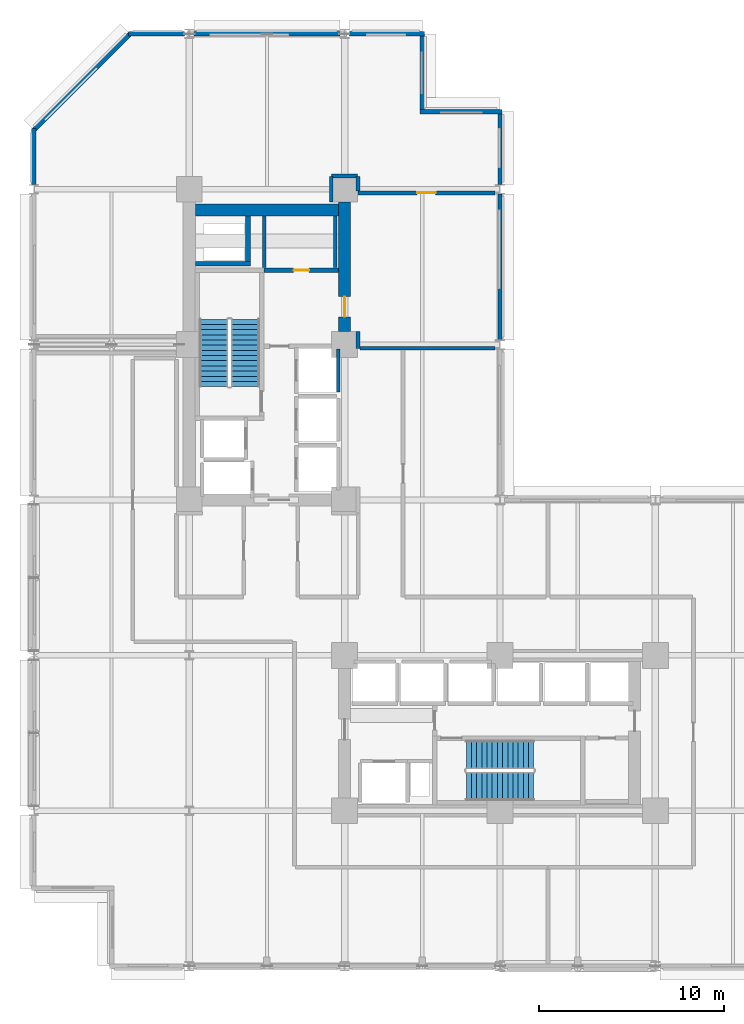
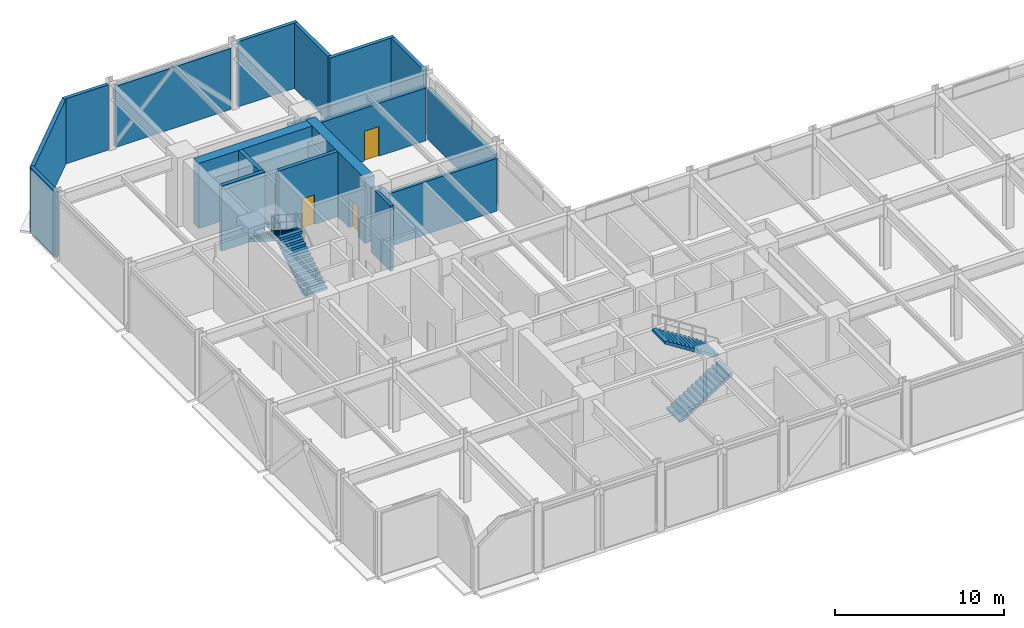
# One storey, part 9 of 13: 23 walls, 4 stair flights, 3 doors, 3 openings, 2 elements without a shape of their own.
"""IFC4 building model written with IfcOpenShell, lengths in metres."""

import ifcopenshell
import ifcopenshell.guid

model = None  # the IFC model being written
_history = None  # IfcOwnerHistory: only IFC2X3 demands one
_inside = {}  # id of a spatial element -> (the spatial element, [elements in it])
_under = {}  # id of a project, library or spatial element -> (it, [spatial elements below it])
_declared = {}  # id of a project -> (the project, [libraries it declares])
_typed = {}  # id of a type object -> (the type object, [elements of that type])
_made_of = {}  # id of a material, layer set ... -> (it, [elements and type objects made of it])


def new_model(schema):
    """Start an empty IFC model of exactly this schema.

    Asked for "IFC4X3", IfcOpenShell would pick the latest addendum, in which some entities
    have other attributes; the version numbers below select the first issue.
    IFC2X3 requires an IfcOwnerHistory on every rooted entity: one is made here for all.
    """
    global model, _history
    if schema == "IFC4X3":
        model = ifcopenshell.file(schema_version=(4, 3, 0, 0))
    else:
        model = ifcopenshell.file(schema=schema)
    _inside.clear()
    _under.clear()
    _declared.clear()
    _typed.clear()
    _made_of.clear()
    _history = None
    if model.schema == "IFC2X3":
        org = make("IfcOrganization", Name="unknown")
        user = make(
            "IfcPersonAndOrganization",
            ThePerson=make("IfcPerson", FamilyName="unknown"),
            TheOrganization=org,
        )
        app = make(
            "IfcApplication",
            ApplicationDeveloper=org,
            Version="unknown",
            ApplicationFullName="unknown",
            ApplicationIdentifier="unknown",
        )
        _history = make(
            "IfcOwnerHistory",
            OwningUser=user,
            OwningApplication=app,
            ChangeAction="ADDED",
            CreationDate=0,
        )
    return model


def make(cls, **values):
    """One entity of the class cls with the attributes given. An attribute that is None is left unset."""
    return model.create_entity(
        cls, **{name: value for name, value in values.items() if value is not None}
    )


def rooted(cls, **values):
    """An entity with a GlobalId (a new one), such as an element, a storey or a relation."""
    return make(cls, GlobalId=ifcopenshell.guid.new(), OwnerHistory=_history, **values)


def si_unit(unit_type, name, prefix=None):
    """IfcSIUnit, for example si_unit("LENGTHUNIT", "METRE", prefix="MILLI")."""
    return make("IfcSIUnit", UnitType=unit_type, Prefix=prefix, Name=name)


def assignment(units):
    """IfcUnitAssignment: the units of a project."""
    return None if units is None else make("IfcUnitAssignment", Units=units)


def point(xyz):
    """IfcCartesianPoint."""
    return None if xyz is None else make("IfcCartesianPoint", Coordinates=xyz)


def direction(xyz):
    """IfcDirection."""
    return None if xyz is None else make("IfcDirection", DirectionRatios=xyz)


def frame(location, z_axis=None, x_axis=None):
    """IfcAxis2Placement3D, a coordinate frame: its origin and axes. An axis left out is left unset."""
    return make(
        "IfcAxis2Placement3D",
        Location=point(location),
        Axis=direction(z_axis),
        RefDirection=direction(x_axis),
    )


def frame_2d(location, x_axis=None):
    """IfcAxis2Placement2D, a coordinate frame in the plane: its origin and x axis."""
    return make(
        "IfcAxis2Placement2D", Location=point(location), RefDirection=direction(x_axis)
    )


def origin():
    """The frame at (0, 0, 0) with its axes left unset."""
    return frame((0.0, 0.0, 0.0))


def place(relative_to, where):
    """IfcLocalPlacement: puts the frame where relative to a parent placement (None: the world)."""
    return make(
        "IfcLocalPlacement", PlacementRelTo=relative_to, RelativePlacement=where
    )


def context(
    kind, dimensions, precision=None, world=None, true_north=None, identifier=None
):
    """IfcGeometricRepresentationContext, for example the 3D "Model" context."""
    return make(
        "IfcGeometricRepresentationContext",
        ContextIdentifier=identifier,
        ContextType=kind,
        CoordinateSpaceDimension=dimensions,
        Precision=precision,
        WorldCoordinateSystem=world,
        TrueNorth=true_north,
    )


def subcontext(parent, identifier, kind, view, scale=None):
    """IfcGeometricRepresentationSubContext, for example "Body" below "Model"."""
    return make(
        "IfcGeometricRepresentationSubContext",
        ContextIdentifier=identifier,
        ContextType=kind,
        ParentContext=parent,
        TargetScale=scale,
        TargetView=view,
    )


def project(units=None, contexts=None):
    """IfcProject with its units and contexts."""
    return rooted(
        "IfcProject",
        Name="project",
        RepresentationContexts=contexts,
        UnitsInContext=assignment(units),
    )


def spatial(cls, under=None, at=None, **own):
    """A site, building, storey or space (cls), placed at a placement, below another one or the project."""
    s = rooted(cls, ObjectPlacement=at, **own)
    if under is not None:
        _under.setdefault(under.id(), (under, []))[1].append(s)
    return s


def polyline(points):
    """IfcPolyline through the points."""
    return make("IfcPolyline", Points=[point(p) for p in points])


def profile(cls, at=None, kind="AREA", **sizes):
    """A parametric profile (cls). Its sizes go by their IFC names, for example OverallWidth=200.0."""
    return make(cls, ProfileType=kind, Position=at, **sizes)


def rectangle(**sizes):
    """IfcRectangleProfileDef."""
    return profile("IfcRectangleProfileDef", **sizes)


def outline(outer, holes=None, kind="AREA"):
    """IfcArbitraryClosedProfileDef: a profile drawn as a closed curve; with holes, ...WithVoids."""
    if holes is None:
        return make("IfcArbitraryClosedProfileDef", ProfileType=kind, OuterCurve=outer)
    return make(
        "IfcArbitraryProfileDefWithVoids",
        ProfileType=kind,
        OuterCurve=outer,
        InnerCurves=holes,
    )


def extrude(swept, where, along, depth):
    """IfcExtrudedAreaSolid: the profile swept, set in the frame where, extruded along a direction by depth."""
    return make(
        "IfcExtrudedAreaSolid",
        SweptArea=swept,
        Position=where,
        ExtrudedDirection=direction(along),
        Depth=depth,
    )


def shape(context_of_items, identifier, shape_type, items):
    """IfcShapeRepresentation: the items that make up one representation, for example the "Body"."""
    return make(
        "IfcShapeRepresentation",
        ContextOfItems=context_of_items,
        RepresentationIdentifier=identifier,
        RepresentationType=shape_type,
        Items=items,
    )


def material(Name=None, Category=None):
    """IfcMaterial."""
    return make("IfcMaterial", Name=Name, Category=Category)


def layer(
    of_material, thickness, ventilated=None, Name=None, Category=None, Priority=None
):
    """IfcMaterialLayer: one layer of a wall or slab, of a material (None: an air gap)."""
    return make(
        "IfcMaterialLayer",
        Material=of_material,
        LayerThickness=thickness,
        IsVentilated=ventilated,
        Name=Name,
        Category=Category,
        Priority=Priority,
    )


def layer_set(layers, Name=None):
    """IfcMaterialLayerSet."""
    return make("IfcMaterialLayerSet", MaterialLayers=layers, LayerSetName=Name)


def made_of(thing, what):
    """Note that an element or type object is made of a material, layer set ...; save() writes the relation."""
    if what is not None:
        _made_of.setdefault(what.id(), (what, []))[1].append(thing)
    return thing


def type_object(cls, material=None, **own):
    """A type object (cls), such as IfcWallType, which elements share."""
    return made_of(rooted(cls, **own), material)


def element(
    cls,
    number,
    at=None,
    inside=None,
    cuts=None,
    type_object=None,
    material=None,
    context=None,
    identifier="Body",
    shape_type=None,
    held_by="IfcProductDefinitionShape",
    body=None,
    shapes=None,
    **own,
):
    """One element of the class cls, such as IfcWall. Its Tag is "e" and its number.

    at: its placement. inside: the storey or other place that contains it. cuts: it is an
    opening in that element (IfcRelVoidsElement). A single representation is given by context,
    identifier, shape_type and body (its items); several are given by shapes. held_by: the class
    of the entity that holds the representations. save() writes the other relations.
    """
    e = rooted(cls, Tag="e%d" % number, ObjectPlacement=at, **own)
    if body is not None:
        shapes = [shape(context, identifier, shape_type, body)]
    if shapes is not None:
        e.Representation = make(held_by, Representations=shapes)
    if inside is not None:
        _inside.setdefault(inside.id(), (inside, []))[1].append(e)
    if cuts is not None:
        rooted(
            "IfcRelVoidsElement", RelatingBuildingElement=cuts, RelatedOpeningElement=e
        )
    if type_object is not None:
        _typed.setdefault(type_object.id(), (type_object, []))[1].append(e)
    return made_of(e, material)


def fill(opening, filler):
    """IfcRelFillsElement: the door or window that sits in an opening."""
    return rooted(
        "IfcRelFillsElement",
        RelatingOpeningElement=opening,
        RelatedBuildingElement=filler,
    )


def aggregate(whole, parts):
    """IfcRelAggregates: a whole, such as a stair, and the parts it consists of."""
    return rooted("IfcRelAggregates", RelatingObject=whole, RelatedObjects=parts)


def save(model, path):
    """Write the relations noted so far, then the file.

    IfcRelAggregates (storeys below a building ...), IfcRelContainedInSpatialStructure (elements
    in a storey), IfcRelDefinesByType, IfcRelAssociatesMaterial and IfcRelDeclares: one each for
    every whole, place, type object, material and project.
    """
    for whole, parts in _under.values():
        aggregate(whole, parts)
    for where, things in _inside.values():
        rooted(
            "IfcRelContainedInSpatialStructure",
            RelatedElements=things,
            RelatingStructure=where,
        )
    for kind, things in _typed.values():
        rooted("IfcRelDefinesByType", RelatedObjects=things, RelatingType=kind)
    for what, things in _made_of.values():
        rooted("IfcRelAssociatesMaterial", RelatedObjects=things, RelatingMaterial=what)
    for by, libraries in _declared.values():
        rooted("IfcRelDeclares", RelatingContext=by, RelatedDefinitions=libraries)
    model.write(path)


model = new_model("IFC4")

# Units and contexts
model_context = context("Model", 3, precision=1e-05, world=origin(), true_north=direction((0.0, 1.0)))
body_context = subcontext(model_context, "Body", "Model", "MODEL_VIEW")
ifc_project = project(units=[si_unit("LENGTHUNIT", "METRE"), si_unit("AREAUNIT", "SQUARE_METRE"), si_unit("VOLUMEUNIT", "CUBIC_METRE"), si_unit("PLANEANGLEUNIT", "RADIAN"), si_unit("MASSUNIT", "GRAM", prefix="KILO")], contexts=[model_context])

# Site, building, storey
site_placement = place(None, origin())
site = spatial("IfcSite", under=ifc_project, at=site_placement, CompositionType="ELEMENT")
building_placement = place(site_placement, origin())
building = spatial("IfcBuilding", under=site, at=building_placement, Name="Nerrivon Quay Data Exchange", CompositionType="ELEMENT")
storey_placement = place(building_placement, frame((0.0, 0.0, 79.39990234375)))
storey = spatial("IfcBuildingStorey", under=building, at=storey_placement, Name="L18", CompositionType="ELEMENT", Elevation=79.39990234375)

# Walls
ifc_material_1 = material(Name="Architectural terracotta precast concrete N50 (50 MPa)", Category="masonry")
ifc_layer_1 = layer(ifc_material_1, 0.239990234375)
ifc_layer_set_1 = layer_set([ifc_layer_1], Name="Architectural terracotta precast concrete N50 (50 MPa)")
wall_type_1 = type_object("IfcWallType", Name="EW-PREC-240", PredefinedType="STANDARD", material=ifc_layer_set_1)
wall_1_placement = place(storey_placement, frame((0.0, 42.25, 0.0), z_axis=(0.0, 0.0, 1.0), x_axis=(0.0, 1.0, 0.0)))
element("IfcWall", 1, at=wall_1_placement, inside=storey, type_object=wall_type_1, Name="L18 Plant Enclosure Wall 22", PredefinedType="STANDARD", context=body_context, shape_type="SweptSolid", body=[
    extrude(rectangle(XDim=3.024658203125, YDim=0.239990234375, at=frame_2d((1.51220703125, 0.0))), origin(), (0.0, 0.0, 1.0), 4.72509765625),
])
wall_2_placement = place(storey_placement, frame((-0.052734375, 45.147216796875, 0.0), z_axis=(0.0, 0.0, 1.0), x_axis=(0.707090511833, 0.707123050166, 0.0)))
element("IfcWall", 2, at=wall_2_placement, inside=storey, type_object=wall_type_1, Name="L18 Plant Enclosure Wall 23", PredefinedType="STANDARD", context=body_context, shape_type="SweptSolid", body=[
    extrude(rectangle(XDim=7.503173828125, YDim=0.239990234375, at=frame_2d((3.75146484375, 0.0))), origin(), (0.0, 0.0, 1.0), 4.72509765625),
])
wall_3_placement = place(storey_placement, frame((5.125244140625, 50.39990234375, 0.0), z_axis=(0.0, 0.0, 1.0), x_axis=(1.0, 0.0, 0.0)))
element("IfcWall", 3, at=wall_3_placement, inside=storey, type_object=wall_type_1, Name="L18 Plant Enclosure Wall 24", PredefinedType="STANDARD", context=body_context, shape_type="SweptSolid", body=[
    extrude(rectangle(XDim=3.024658203125, YDim=0.239990234375, at=frame_2d((1.51220703125, 0.0))), origin(), (0.0, 0.0, 1.0), 4.72509765625),
])
wall_4_placement = place(storey_placement, frame((8.64990234375, 50.39990234375, 0.0), z_axis=(0.0, 0.0, 1.0), x_axis=(1.0, 0.0, 0.0)))
element("IfcWall", 4, at=wall_4_placement, inside=storey, type_object=wall_type_1, Name="L18 Plant Enclosure Wall 25", PredefinedType="STANDARD", context=body_context, shape_type="SweptSolid", body=[
    extrude(rectangle(XDim=7.900146484375, YDim=0.239990234375, at=frame_2d((3.9501953125, 0.0))), origin(), (0.0, 0.0, 1.0), 4.425048828125),
])
wall_5_placement = place(storey_placement, frame((17.050048828125, 50.39990234375, 0.0), z_axis=(0.0, 0.0, 1.0), x_axis=(1.0, 0.0, 0.0)))
element("IfcWall", 5, at=wall_5_placement, inside=storey, type_object=wall_type_1, Name="L18 Plant Enclosure Wall 26", PredefinedType="STANDARD", context=body_context, shape_type="SweptSolid", body=[
    extrude(rectangle(XDim=4.070068359375, YDim=0.239990234375, at=frame_2d((2.03515625, 0.0))), origin(), (0.0, 0.0, 1.0), 4.72509765625),
])
wall_6_placement = place(storey_placement, frame((21.0, 50.280029296875, 0.0), z_axis=(0.0, 0.0, 1.0), x_axis=(0.0, -1.0, 0.0)))
element("IfcWall", 6, at=wall_6_placement, inside=storey, type_object=wall_type_1, Name="L18 Plant Enclosure Wall 27", PredefinedType="STANDARD", context=body_context, shape_type="SweptSolid", body=[
    extrude(rectangle(XDim=3.9599609375, YDim=0.239990234375, at=frame_2d((1.97998046875, 0.0))), origin(), (0.0, 0.0, 1.0), 4.72509765625),
])
wall_7_placement = place(storey_placement, frame((20.8798828125, 46.199951171875, 0.0), z_axis=(0.0, 0.0, 1.0), x_axis=(1.0, 0.0, 0.0)))
element("IfcWall", 7, at=wall_7_placement, inside=storey, type_object=wall_type_1, Name="L18 Plant Enclosure Wall 28", PredefinedType="STANDARD", context=body_context, shape_type="SweptSolid", body=[
    extrude(rectangle(XDim=4.440185546875, YDim=0.239990234375, at=frame_2d((2.22021484375, 0.0))), origin(), (0.0, 0.0, 1.0), 4.72509765625),
])
wall_8_placement = place(storey_placement, frame((25.199951171875, 46.080078125, 0.0), z_axis=(0.0, 0.0, 1.0), x_axis=(0.0, -1.0, 0.0)))
element("IfcWall", 8, at=wall_8_placement, inside=storey, type_object=wall_type_1, Name="L18 Plant Enclosure Wall 29", PredefinedType="STANDARD", context=body_context, shape_type="SweptSolid", body=[
    extrude(rectangle(XDim=3.830078125, YDim=0.239990234375, at=frame_2d((1.9150390625, 0.0))), origin(), (0.0, 0.0, 1.0), 4.72509765625),
])
wall_9_placement = place(storey_placement, frame((25.199951171875, 41.75, 0.0), z_axis=(0.0, 0.0, 1.0), x_axis=(0.0, -1.0, 0.0)))
element("IfcWall", 9, at=wall_9_placement, inside=storey, type_object=wall_type_1, Name="L18 Plant Enclosure Wall 30", PredefinedType="STANDARD", context=body_context, shape_type="SweptSolid", body=[
    extrude(rectangle(XDim=7.89990234375, YDim=0.239990234375, at=frame_2d((3.949951171875, 0.0))), origin(), (0.0, 0.0, 1.0), 3.708984375),
])
ifc_material_2 = material(Name="Concrete N80 (80 MPa)", Category="concrete")
ifc_layer_2 = layer(ifc_material_2, 0.64990234375)
ifc_layer_set_2 = layer_set([ifc_layer_2], Name="Concrete N80 (80 MPa)")
wall_type_2 = type_object("IfcWallType", Name="WALL-CW-850", PredefinedType="SHEAR", material=ifc_layer_set_2)
wall_10_placement = place(storey_placement, frame((8.72509765625, 40.875, 0.0), z_axis=(0.0, 0.0, 1.0), x_axis=(1.0, 0.0, 0.0)))
element("IfcWall", 10, at=wall_10_placement, inside=storey, type_object=wall_type_2, Name="L18 West Split-Core Shear Wall WCW-N1", PredefinedType="SHEAR", context=body_context, shape_type="SweptSolid", body=[
    extrude(rectangle(XDim=7.75, YDim=0.64990234375, at=frame_2d((3.875, 0.0))), origin(), (0.0, 0.0, 1.0), 4.72509765625),
])

# Wall, opening, door
wall_11_placement = place(storey_placement, frame((16.800048828125, 34.300048828125, 0.0), z_axis=(0.0, 0.0, 1.0), x_axis=(0.0, 1.0, 0.0)))
wall_11 = element("IfcWall", 11, at=wall_11_placement, inside=storey, type_object=wall_type_2, Name="L18 West Split-Core Shear Wall WCW-E1", PredefinedType="SHEAR", context=body_context, shape_type="SweptSolid", body=[
    extrude(rectangle(XDim=7.0, YDim=0.64990234375, at=frame_2d((3.5, 0.0))), origin(), (0.0, 0.0, 1.0), 4.72509765625),
])
opening_1_placement = place(wall_11_placement, frame((0.800048828125, 0.0, 0.0)))
opening_1 = element("IfcOpeningElement", 12, at=opening_1_placement, cuts=wall_11, Name="Opening FD-120", PredefinedType="OPENING", context=body_context, shape_type="SweptSolid", body=[
    extrude(rectangle(XDim=1.10009765625, YDim=2.14990234375, at=frame_2d((0.550048828125, 1.074951171875))), frame((0.0, 0.3349609375, 0.0), z_axis=(0.0, -1.0, 0.0), x_axis=(1.0, 0.0, 0.0)), (0.0, 0.0, 1.0), 0.669921875),
])
ifc_material_3 = material(Name="Powder-coated galvanized steel sheet", Category="steel")
door_type_1 = type_object("IfcDoorType", Name="DR-FD120-1100", OperationType="NOTDEFINED", PredefinedType="DOOR", material=ifc_material_3)
door_1_placement = place(opening_1_placement, origin())
door_1 = element("IfcDoor", 13, at=door_1_placement, inside=storey, type_object=door_type_1, Name="L18 West Core Lobby Fire Door", OperationType="SINGLE_SWING_RIGHT", OverallHeight=2.14990234375, OverallWidth=1.10009765625, PredefinedType="DOOR", context=body_context, shape_type="SweptSolid", body=[
    extrude(rectangle(XDim=1.10009765625, YDim=2.14990234375, at=frame_2d((0.550048828125, 1.074951171875))), frame((0.0, 0.02490234375, 0.0), z_axis=(0.0, -1.0, 0.0), x_axis=(1.0, 0.0, 0.0)), (0.0, 0.0, 1.0), 0.050048828125),
])
fill(opening_1, door_1)

# Walls
ifc_material_4 = material(Name="Gypsum plasterboard on cold-formed framing", Category="gypsum")
ifc_layer_3 = layer(ifc_material_4, 0.199951171875)
ifc_layer_set_3 = layer_set([ifc_layer_3], Name="Gypsum plasterboard on cold-formed framing")
wall_type_3 = type_object("IfcWallType", Name="WALL-FW-200", PredefinedType="PARTITIONING", material=ifc_layer_set_3)
wall_12_placement = place(storey_placement, frame((16.449951171875, 31.050048828125, 0.0), z_axis=(0.0, 0.0, 1.0), x_axis=(0.0, 1.0, 0.0)))
element("IfcWall", 14, at=wall_12_placement, inside=storey, type_object=wall_type_3, Name="L18 Lift Shaft Wall PL3 EAST", PredefinedType="PARTITIONING", context=body_context, shape_type="SweptSolid", body=[
    extrude(rectangle(XDim=2.300048828125, YDim=0.199951171875, at=frame_2d((1.14990234375, 0.0))), origin(), (0.0, 0.0, 1.0), 4.72509765625),
])
for number, where, z_axis, x_axis, name in (
    (15, (16.300048828125, 37.780029296875, 0.0), (0.0, 0.0, 1.0), (0.0, 1.0, 0.0), "L18 Partition Electrical Switchboard Closet"),
    (16, (12.449951171875, 40.5458984375, 0.0), (0.0, 0.0, 1.0), (0.0, -1.0, 0.0), "L18 Partition Electrical Switchboard Closet"),
):
    element("IfcWall", number, at=place(storey_placement, frame(where, z_axis=z_axis, x_axis=x_axis)), inside=storey, type_object=wall_type_3, Name=name, PredefinedType="PARTITIONING", context=body_context, shape_type="SweptSolid", body=[
        extrude(rectangle(XDim=2.765869140625, YDim=0.199951171875, at=frame_2d((1.3828125, 0.0))), origin(), (0.0, 0.0, 1.0), 3.625),
    ])
wall_13_placement = place(storey_placement, frame((17.52001953125, 34.300048828125, 0.0), z_axis=(0.0, 0.0, 1.0), x_axis=(0.0, -1.0, 0.0)))
element("IfcWall", 17, at=wall_13_placement, inside=storey, type_object=wall_type_3, Name="L18 Partition Protected Area of Refuge", PredefinedType="PARTITIONING", context=body_context, shape_type="SweptSolid", body=[
    extrude(rectangle(XDim=0.900146484375, YDim=0.199951171875, at=frame_2d((0.4501953125, 0.0))), origin(), (0.0, 0.0, 1.0), 3.8251953125),
])
wall_14_placement = place(storey_placement, frame((17.6240234375, 33.39990234375, 0.0), z_axis=(0.0, 0.0, 1.0), x_axis=(1.0, 0.0, 0.0)))
element("IfcWall", 18, at=wall_14_placement, inside=storey, type_object=wall_type_3, Name="L18 Partition Protected Area of Refuge", PredefinedType="PARTITIONING", context=body_context, shape_type="SweptSolid", body=[
    extrude(rectangle(XDim=7.305908203125, YDim=0.199951171875, at=frame_2d((3.65283203125, 0.0))), origin(), (0.0, 0.0, 1.0), 3.8251953125),
])

# Wall, opening, door
wall_15_placement = place(storey_placement, frame((24.929931640625, 41.800048828125, 0.0), z_axis=(0.0, 0.0, 1.0), x_axis=(-1.0, 0.0, 0.0)))
wall_15 = element("IfcWall", 19, at=wall_15_placement, inside=storey, type_object=wall_type_3, Name="L18 Partition Protected Area of Refuge", PredefinedType="PARTITIONING", context=body_context, shape_type="SweptSolid", body=[
    extrude(rectangle(XDim=7.409912109375, YDim=0.199951171875, at=frame_2d((3.705078125, 0.0))), origin(), (0.0, 0.0, 1.0), 3.8251953125),
])
opening_2_placement = place(wall_15_placement, frame((3.205078125, 0.0, 0.0)))
opening_2 = element("IfcOpeningElement", 20, at=opening_2_placement, cuts=wall_15, Name="Opening FD-60", PredefinedType="OPENING", context=body_context, shape_type="SweptSolid", body=[
    extrude(rectangle(XDim=1.0, YDim=2.14990234375, at=frame_2d((0.5, 1.074951171875))), frame((0.0, 0.10986328125, 0.0), z_axis=(0.0, -1.0, 0.0), x_axis=(1.0, 0.0, 0.0)), (0.0, 0.0, 1.0), 0.219970703125),
])
ifc_material_5 = material(Name="Engineered hardwood timber", Category="wood")
door_type_2 = type_object("IfcDoorType", Name="DR-FD60-1000", OperationType="NOTDEFINED", PredefinedType="DOOR", material=ifc_material_5)
door_2_placement = place(opening_2_placement, origin())
door_2 = element("IfcDoor", 21, at=door_2_placement, inside=storey, type_object=door_type_2, Name="L18 Door Primary AHU Ventilation Room", OperationType="SINGLE_SWING_LEFT", OverallHeight=2.14990234375, OverallWidth=1.0, PredefinedType="DOOR", context=body_context, shape_type="SweptSolid", body=[
    extrude(rectangle(XDim=1.0, YDim=2.14990234375, at=frame_2d((0.5, 1.074951171875))), frame((0.0, 0.02490234375, 0.0), z_axis=(0.0, -1.0, 0.0), x_axis=(1.0, 0.0, 0.0)), (0.0, 0.0, 1.0), 0.050048828125),
])
fill(opening_2, door_2)

# Walls
wall_16_placement = place(storey_placement, frame((16.080078125, 41.300048828125, 0.0), z_axis=(0.0, 0.0, 1.0), x_axis=(0.0, 1.0, 0.0)))
element("IfcWall", 22, at=wall_16_placement, inside=storey, type_object=wall_type_3, Name="L18 Partition Primary AHU Ventilation Room", PredefinedType="PARTITIONING", context=body_context, shape_type="SweptSolid", body=[
    extrude(rectangle(XDim=1.39990234375, YDim=0.199951171875, at=frame_2d((0.699951171875, 0.0))), origin(), (0.0, 0.0, 1.0), 3.8251953125),
])
wall_17_placement = place(storey_placement, frame((16.10009765625, 42.719970703125, 0.0), z_axis=(0.0, 0.0, 1.0), x_axis=(1.0, 0.0, 0.0)))
element("IfcWall", 23, at=wall_17_placement, inside=storey, type_object=wall_type_3, Name="L18 Partition Primary AHU Ventilation Room", PredefinedType="PARTITIONING", context=body_context, shape_type="SweptSolid", body=[
    extrude(rectangle(XDim=1.39990234375, YDim=0.199951171875, at=frame_2d((0.699951171875, 0.0))), origin(), (0.0, 0.0, 1.0), 3.708984375),
])
wall_18_placement = place(storey_placement, frame((17.52001953125, 42.699951171875, 0.0), z_axis=(0.0, 0.0, 1.0), x_axis=(0.0, -1.0, 0.0)))
element("IfcWall", 24, at=wall_18_placement, inside=storey, type_object=wall_type_3, Name="L18 Partition Primary AHU Ventilation Room", PredefinedType="PARTITIONING", context=body_context, shape_type="SweptSolid", body=[
    extrude(rectangle(XDim=0.7958984375, YDim=0.199951171875, at=frame_2d((0.39794921875, 0.0))), origin(), (0.0, 0.0, 1.0), 3.8251953125),
])
ifc_material_6 = material(Name="Concrete N50 (50 MPa)", Category="concrete")
ifc_layer_4 = layer(ifc_material_6, 0.25)
ifc_layer_set_4 = layer_set([ifc_layer_4], Name="Concrete N50 (50 MPa)")
wall_type_4 = type_object("IfcWallType", Name="WALL-SW-250", PredefinedType="SHEAR", material=ifc_layer_set_4)
wall_19_placement = place(storey_placement, frame((8.72509765625, 37.97509765625, 0.0), z_axis=(0.0, 0.0, 1.0), x_axis=(1.0, 0.0, 0.0)))
element("IfcWall", 25, at=wall_19_placement, inside=storey, type_object=wall_type_4, Name="L18 West Core MEP Riser Shaft Wall S", PredefinedType="SHEAR", context=body_context, shape_type="SweptSolid", body=[
    extrude(rectangle(XDim=2.974853515625, YDim=0.25, at=frame_2d((1.4873046875, 0.0))), origin(), (0.0, 0.0, 1.0), 4.72509765625),
])
wall_20_placement = place(storey_placement, frame((11.574951171875, 38.10009765625, 0.0), z_axis=(0.0, 0.0, 1.0), x_axis=(0.0, 1.0, 0.0)))
element("IfcWall", 26, at=wall_20_placement, inside=storey, type_object=wall_type_4, Name="L18 West Core MEP Riser Shaft Wall E", PredefinedType="SHEAR", context=body_context, shape_type="SweptSolid", body=[
    extrude(rectangle(XDim=2.449951171875, YDim=0.25, at=frame_2d((1.22509765625, 0.0))), origin(), (0.0, 0.0, 1.0), 4.72509765625),
])

# Wall, opening, door
wall_21_placement = place(storey_placement, frame((12.449951171875, 37.625, 0.0), z_axis=(0.0, 0.0, 1.0), x_axis=(1.0, 0.0, 0.0)))
wall_21 = element("IfcWall", 27, at=wall_21_placement, inside=storey, type_object=wall_type_4, Name="L18 West Firefighting Lobby Wall", PredefinedType="SHEAR", context=body_context, shape_type="SweptSolid", body=[
    extrude(rectangle(XDim=4.025146484375, YDim=0.25, at=frame_2d((2.0126953125, 0.0))), origin(), (0.0, 0.0, 1.0), 4.72509765625),
])
opening_3_placement = place(wall_21_placement, frame((1.58740234375, 0.0, 0.0)))
opening_3 = element("IfcOpeningElement", 28, at=opening_3_placement, cuts=wall_21, Name="Opening FD-60S", PredefinedType="OPENING", context=body_context, shape_type="SweptSolid", body=[
    extrude(rectangle(XDim=0.85009765625, YDim=2.14990234375, at=frame_2d((0.425048828125, 1.074951171875))), frame((0.0, 0.135009765625, 0.0), z_axis=(0.0, -1.0, 0.0), x_axis=(1.0, 0.0, 0.0)), (0.0, 0.0, 1.0), 0.27001953125),
])
door_type_3 = type_object("IfcDoorType", Name="DR-FD60-850", OperationType="NOTDEFINED", PredefinedType="DOOR", material=ifc_material_5)
door_3_placement = place(opening_3_placement, origin())
door_3 = element("IfcDoor", 29, at=door_3_placement, inside=storey, type_object=door_type_3, Name="L18 Door Electrical Switchboard Closet", OperationType="SINGLE_SWING_RIGHT", OverallHeight=2.14990234375, OverallWidth=0.85009765625, PredefinedType="DOOR", context=body_context, shape_type="SweptSolid", body=[
    extrude(rectangle(XDim=0.85009765625, YDim=2.14990234375, at=frame_2d((0.425048828125, 1.074951171875))), frame((0.0, 0.02490234375, 0.0), z_axis=(0.0, -1.0, 0.0), x_axis=(1.0, 0.0, 0.0)), (0.0, 0.0, 1.0), 0.050048828125),
])
fill(opening_3, door_3)

# Stair, stair flights
stair_type = type_object("IfcStairType", Name="STAIR-DOG-50", PredefinedType="HALF_TURN_STAIR", material=ifc_material_6)
stair_1_placement = place(storey_placement, origin())
stair_1 = element("IfcStair", 30, at=stair_1_placement, inside=storey, type_object=stair_type, Name="L18 West Core Fire Stair ST01", PredefinedType="HALF_TURN_STAIR")
stair_flight_type = type_object("IfcStairFlightType", Name="FLIGHT-DOG-50", PredefinedType="STRAIGHT", material=ifc_material_6)
stair_flight_1_placement = place(storey_placement, frame((11.425048828125, 31.330078125, 0.0), z_axis=(0.0, 0.0, 1.0), x_axis=(0.0, 1.0, 0.0)))
stair_flight_1 = element("IfcStairFlight", 31, at=stair_flight_1_placement, type_object=stair_flight_type, Name="ST01 flight 1", NumberOfRisers=14, NumberOfTreads=13, PredefinedType="STRAIGHT", RiserHeight=0.178571429, TreadLength=0.28, context=body_context, shape_type="SweptSolid", body=[
    extrude(outline(polyline([(0.0, 0.0), (0.0, 0.178466796875), (0.280029296875, 0.178466796875), (0.280029296875, 0.357177734375), (0.56005859375, 0.357177734375), (0.56005859375, 0.53564453125), (0.840087890625, 0.53564453125), (0.840087890625, 0.71435546875), (1.1201171875, 0.71435546875), (1.1201171875, 0.892822265625), (1.39990234375, 0.892822265625), (1.39990234375, 1.071533203125), (1.679931640625, 1.071533203125), (1.679931640625, 1.25), (1.9599609375, 1.25), (1.9599609375, 1.428466796875), (2.239990234375, 1.428466796875), (2.239990234375, 1.607177734375), (2.52001953125, 1.607177734375), (2.52001953125, 1.78564453125), (2.800048828125, 1.78564453125), (2.800048828125, 1.96435546875), (3.080078125, 1.96435546875), (3.080078125, 2.142822265625), (3.360107421875, 2.142822265625), (3.360107421875, 2.321533203125), (3.639892578125, 2.321533203125), (3.639892578125, 2.5), (3.639892578125, 2.1435546875), (0.27880859375, 0.0), (0.0, 0.0)])), frame((0.0, 0.77490234375, 0.0), z_axis=(0.0, -1.0, 0.0), x_axis=(1.0, 0.0, 0.0)), (0.0, 0.0, 1.0), 1.550048828125),
])
stair_flight_2_placement = place(storey_placement, frame((9.72509765625, 34.969970703125, 2.5), z_axis=(0.0, 0.0, 1.0), x_axis=(0.0, -1.0, 0.0)))
stair_flight_2 = element("IfcStairFlight", 32, at=stair_flight_2_placement, type_object=stair_flight_type, Name="ST01 flight 2", NumberOfRisers=14, NumberOfTreads=13, PredefinedType="STRAIGHT", RiserHeight=0.178571429, TreadLength=0.28, context=body_context, shape_type="SweptSolid", body=[
    extrude(outline(polyline([(0.0, 0.0), (0.0, 0.178466796875), (0.280029296875, 0.178466796875), (0.280029296875, 0.357177734375), (0.56005859375, 0.357177734375), (0.56005859375, 0.53564453125), (0.840087890625, 0.53564453125), (0.840087890625, 0.71435546875), (1.1201171875, 0.71435546875), (1.1201171875, 0.892822265625), (1.39990234375, 0.892822265625), (1.39990234375, 1.071533203125), (1.679931640625, 1.071533203125), (1.679931640625, 1.25), (1.9599609375, 1.25), (1.9599609375, 1.428466796875), (2.239990234375, 1.428466796875), (2.239990234375, 1.607177734375), (2.52001953125, 1.607177734375), (2.52001953125, 1.78564453125), (2.800048828125, 1.78564453125), (2.800048828125, 1.96435546875), (3.080078125, 1.96435546875), (3.080078125, 2.142822265625), (3.360107421875, 2.142822265625), (3.360107421875, 2.321533203125), (3.639892578125, 2.321533203125), (3.639892578125, 2.5), (3.639892578125, 2.1435546875), (0.27880859375, 0.0), (0.0, 0.0)])), frame((0.0, 0.77490234375, 0.0), z_axis=(0.0, -1.0, 0.0), x_axis=(1.0, 0.0, 0.0)), (0.0, 0.0, 1.0), 1.550048828125),
])
aggregate(stair_1, [stair_flight_1, stair_flight_2])

stair_2_placement = place(storey_placement, origin())
stair_2 = element("IfcStair", 33, at=stair_2_placement, inside=storey, type_object=stair_type, Name="L18 East Core Fire Stair ST02", PredefinedType="HALF_TURN_STAIR")
stair_flight_3_placement = place(storey_placement, frame((23.3798828125, 9.72509765625, 0.0), z_axis=(0.0, 0.0, 1.0), x_axis=(1.0, 0.0, 0.0)))
stair_flight_3 = element("IfcStairFlight", 34, at=stair_flight_3_placement, type_object=stair_flight_type, Name="ST02 flight 1", NumberOfRisers=14, NumberOfTreads=13, PredefinedType="STRAIGHT", RiserHeight=0.178571429, TreadLength=0.28, context=body_context, shape_type="SweptSolid", body=[
    extrude(outline(polyline([(0.0, 0.0), (0.0, 0.178466796875), (0.280029296875, 0.178466796875), (0.280029296875, 0.357177734375), (0.56005859375, 0.357177734375), (0.56005859375, 0.53564453125), (0.840087890625, 0.53564453125), (0.840087890625, 0.71435546875), (1.1201171875, 0.71435546875), (1.1201171875, 0.892822265625), (1.39990234375, 0.892822265625), (1.39990234375, 1.071533203125), (1.679931640625, 1.071533203125), (1.679931640625, 1.25), (1.9599609375, 1.25), (1.9599609375, 1.428466796875), (2.239990234375, 1.428466796875), (2.239990234375, 1.607177734375), (2.52001953125, 1.607177734375), (2.52001953125, 1.78564453125), (2.800048828125, 1.78564453125), (2.800048828125, 1.96435546875), (3.080078125, 1.96435546875), (3.080078125, 2.142822265625), (3.360107421875, 2.142822265625), (3.360107421875, 2.321533203125), (3.639892578125, 2.321533203125), (3.639892578125, 2.5), (3.639892578125, 2.1435546875), (0.27880859375, 0.0), (0.0, 0.0)])), frame((0.0, 0.77490234375, 0.0), z_axis=(0.0, -1.0, 0.0), x_axis=(1.0, 0.0, 0.0)), (0.0, 0.0, 1.0), 1.550048828125),
])
stair_flight_4_placement = place(storey_placement, frame((27.02001953125, 11.425048828125, 2.5), z_axis=(0.0, 0.0, 1.0), x_axis=(-1.0, 0.0, 0.0)))
stair_flight_4 = element("IfcStairFlight", 35, at=stair_flight_4_placement, type_object=stair_flight_type, Name="ST02 flight 2", NumberOfRisers=14, NumberOfTreads=13, PredefinedType="STRAIGHT", RiserHeight=0.178571429, TreadLength=0.28, context=body_context, shape_type="SweptSolid", body=[
    extrude(outline(polyline([(0.0, 0.0), (0.0, 0.178466796875), (0.280029296875, 0.178466796875), (0.280029296875, 0.357177734375), (0.56005859375, 0.357177734375), (0.56005859375, 0.53564453125), (0.840087890625, 0.53564453125), (0.840087890625, 0.71435546875), (1.1201171875, 0.71435546875), (1.1201171875, 0.892822265625), (1.39990234375, 0.892822265625), (1.39990234375, 1.071533203125), (1.679931640625, 1.071533203125), (1.679931640625, 1.25), (1.9599609375, 1.25), (1.9599609375, 1.428466796875), (2.239990234375, 1.428466796875), (2.239990234375, 1.607177734375), (2.52001953125, 1.607177734375), (2.52001953125, 1.78564453125), (2.800048828125, 1.78564453125), (2.800048828125, 1.96435546875), (3.080078125, 1.96435546875), (3.080078125, 2.142822265625), (3.360107421875, 2.142822265625), (3.360107421875, 2.321533203125), (3.639892578125, 2.321533203125), (3.639892578125, 2.5), (3.639892578125, 2.1435546875), (0.27880859375, 0.0), (0.0, 0.0)])), frame((0.0, 0.77490234375, 0.0), z_axis=(0.0, -1.0, 0.0), x_axis=(1.0, 0.0, 0.0)), (0.0, 0.0, 1.0), 1.550048828125),
])
aggregate(stair_2, [stair_flight_3, stair_flight_4])

save(model, "model.ifc")
